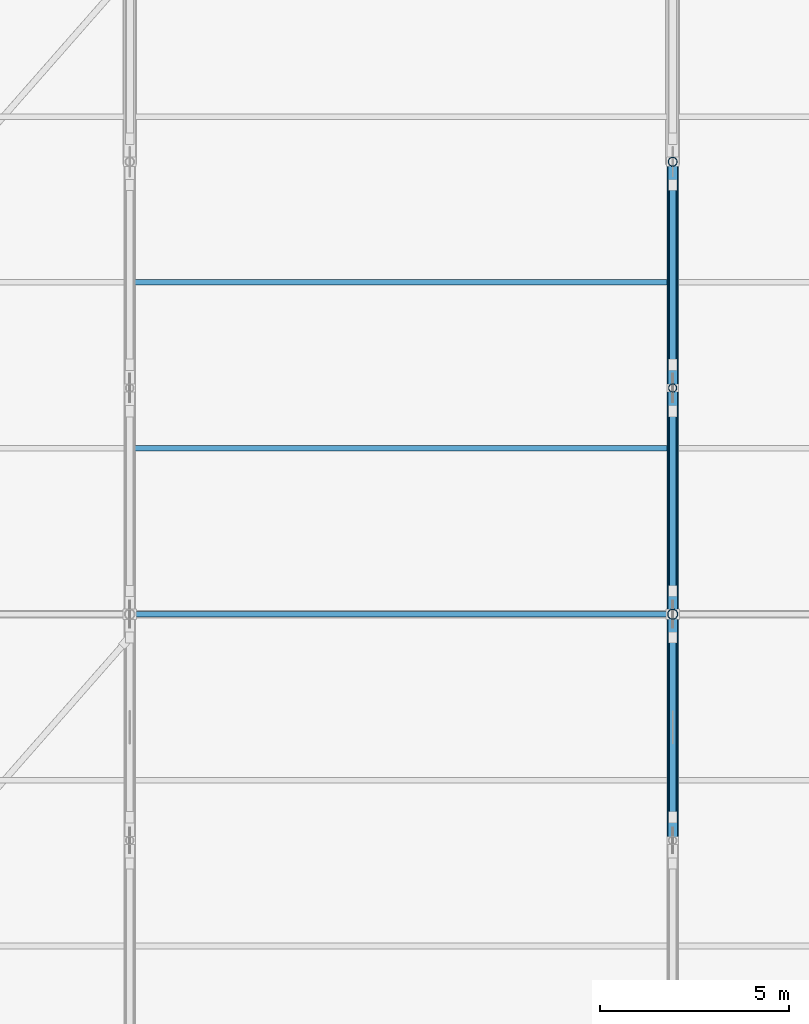
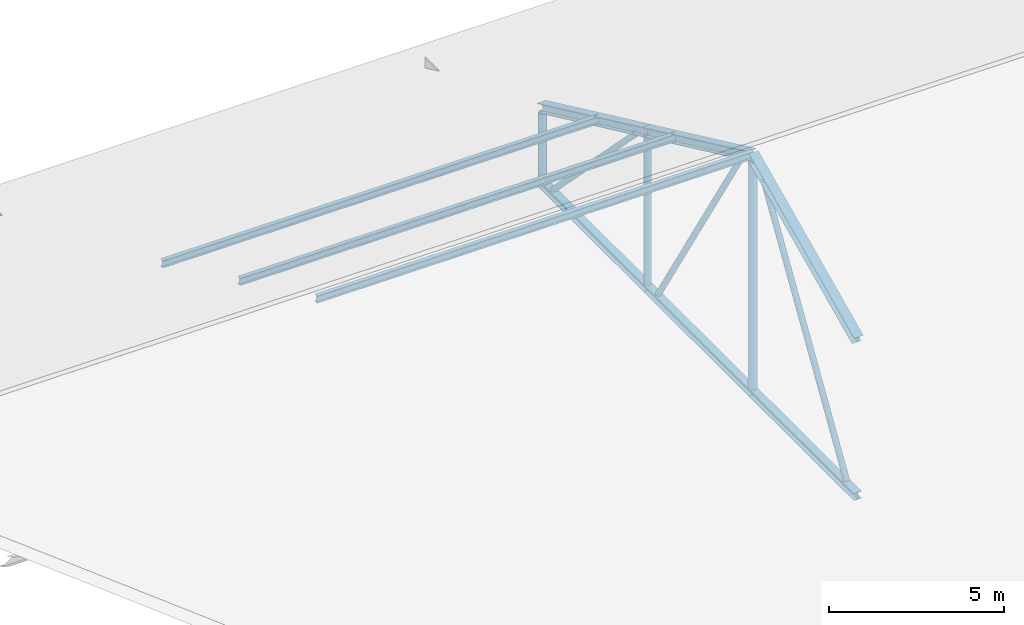
# One storey, part 80 of 141: 15 members, 1 element without a shape of its own.
"""IFC4 building model written with IfcOpenShell, lengths in metres."""

from ifc_helpers import new_model, si_unit, direction, frame, origin, origin_2d, place, context, subcontext, project, spatial, hollow_circle, i_section, extrude, material, material_profile, profile_set, type_object, element, aggregate, save


model = new_model("IFC4")

# Units and contexts
model_context = context("Model", 3, precision=1e-05, world=origin(), true_north=direction((0.0, 1.0)))
body_context = subcontext(model_context, "Body", "Model", "MODEL_VIEW")
ifc_project = project(units=[si_unit("LENGTHUNIT", "METRE"), si_unit("AREAUNIT", "SQUARE_METRE"), si_unit("VOLUMEUNIT", "CUBIC_METRE"), si_unit("PLANEANGLEUNIT", "RADIAN"), si_unit("MASSUNIT", "GRAM", prefix="KILO")], contexts=[model_context])

# Site, building, storey
site_placement = place(None, origin())
site = spatial("IfcSite", under=ifc_project, at=site_placement, CompositionType="ELEMENT")
building_placement = place(site_placement, origin())
building = spatial("IfcBuilding", under=site, at=building_placement, Name="Seraya Terrace Polytechnic", CompositionType="ELEMENT")
storey_placement = place(building_placement, frame((0.0, 0.0, 14.39990234375)))
storey = spatial("IfcBuildingStorey", under=building, at=storey_placement, Name="L03", CompositionType="ELEMENT", Elevation=14.39990234375)

# Assembly, members
ifc_material = material(Name="Steel S355J2", Category="steel")
element_assembly_type = type_object("IfcElementAssemblyType", Name="TR-A1", PredefinedType="TRUSS", material=ifc_material)
assembly_placement = place(storey_placement, origin())
assembly = element("IfcElementAssembly", 1, at=assembly_placement, inside=storey, type_object=element_assembly_type, Name="Pitched steel roof truss TR-03", AssemblyPlace="SITE", PredefinedType="TRUSS")
ifc_material_profile_1 = material_profile(ifc_material, i_section(OverallWidth=0.25390625, OverallDepth=0.25390625, WebThickness=0.0107421875, FlangeThickness=0.017333984375, at=origin_2d()), Name="UKC 254x254x10.7x17.3")
ifc_profile_set_1 = profile_set([ifc_material_profile_1], Name="Steel S355J2")
member_type_1 = type_object("IfcMemberType", Name="BC-02", PredefinedType="CHORD", material=ifc_profile_set_1)
member_1_placement = place(storey_placement, frame((43.199951171875, 91.199951171875, 0.150146484375), z_axis=(0.0, 1.0, 0.0), x_axis=(-1.0, 0.0, 0.0)))
member_1 = element("IfcMember", 2, at=member_1_placement, type_object=member_type_1, Name="TR-03 bottom chord 3", PredefinedType="CHORD", context=body_context, shape_type="SweptSolid", body=[
    extrude(i_section(OverallWidth=0.25390625, OverallDepth=0.25390625, WebThickness=0.0107421875, FlangeThickness=0.017333984375, at=origin_2d()), origin(), (0.0, 0.0, 1.0), 6.0),
])
member_2_placement = place(storey_placement, frame((43.199951171875, 97.199951171875, 0.150146484375), z_axis=(0.0, 1.0, 0.0), x_axis=(-1.0, 0.0, 0.0)))
member_2 = element("IfcMember", 3, at=member_2_placement, type_object=member_type_1, Name="TR-03 bottom chord 4", PredefinedType="CHORD", context=body_context, shape_type="SweptSolid", body=[
    extrude(i_section(OverallWidth=0.25390625, OverallDepth=0.25390625, WebThickness=0.0107421875, FlangeThickness=0.017333984375, at=origin_2d()), origin(), (0.0, 0.0, 1.0), 6.0),
])
member_3_placement = place(storey_placement, frame((43.199951171875, 103.199951171875, 0.150146484375), z_axis=(0.0, 1.0, 0.0), x_axis=(-1.0, 0.0, 0.0)))
member_3 = element("IfcMember", 4, at=member_3_placement, type_object=member_type_1, Name="TR-03 bottom chord 5", PredefinedType="CHORD", context=body_context, shape_type="SweptSolid", body=[
    extrude(i_section(OverallWidth=0.25390625, OverallDepth=0.25390625, WebThickness=0.0107421875, FlangeThickness=0.017333984375, at=origin_2d()), origin(), (0.0, 0.0, 1.0), 6.0),
])
ifc_material_profile_2 = material_profile(ifc_material, hollow_circle(Radius=0.096923828125, WallThickness=0.010009765625, at=origin_2d()), Name="CHS 193.7x10.0")
ifc_profile_set_2 = profile_set([ifc_material_profile_2], Name="Steel S355J2")
member_type_2 = type_object("IfcMemberType", Name="BR-02", PredefinedType="BRACE", material=ifc_profile_set_2)
member_4_placement = place(storey_placement, frame((43.199951171875, 91.820068359375, 0.291015625), z_axis=(0.0, 0.528137409747, 0.84915892295), x_axis=(-1.0, 0.0, 0.0)))
member_4 = element("IfcMember", 5, at=member_4_placement, type_object=member_type_2, Name="TR-03 web diagonal 3", PredefinedType="BRACE", context=body_context, shape_type="SweptSolid", body=[
    extrude(hollow_circle(Radius=0.096923828125, WallThickness=0.010009765625, at=origin_2d()), origin(), (0.0, 0.0, 1.0), 9.012939453125),
])
member_5_placement = place(storey_placement, frame((43.199951171875, 97.820068359375, 7.9443359375), z_axis=(0.0, 0.528137409747, -0.84915892295), x_axis=(-1.0, 0.0, 0.0)))
member_5 = element("IfcMember", 6, at=member_5_placement, type_object=member_type_2, Name="TR-03 web diagonal 4", PredefinedType="BRACE", context=body_context, shape_type="SweptSolid", body=[
    extrude(hollow_circle(Radius=0.096923828125, WallThickness=0.010009765625, at=origin_2d()), origin(), (0.0, 0.0, 1.0), 9.012939453125),
])
member_6_placement = place(storey_placement, frame((43.199951171875, 103.820068359375, 5.144287109375), z_axis=(0.0, 0.700213947338, -0.713933069659), x_axis=(-1.0, 0.0, 0.0)))
member_6 = element("IfcMember", 7, at=member_6_placement, type_object=member_type_2, Name="TR-03 web diagonal 5", PredefinedType="BRACE", context=body_context, shape_type="SweptSolid", body=[
    extrude(hollow_circle(Radius=0.096923828125, WallThickness=0.010009765625, at=origin_2d()), origin(), (0.0, 0.0, 1.0), 6.7978515625),
])

# Members
ifc_material_profile_3 = material_profile(ifc_material, i_section(OverallWidth=0.14599609375, OverallDepth=0.25390625, WebThickness=0.007080078125, FlangeThickness=0.01416015625, at=origin_2d()), Name="UKB 254x146x7.2x14.2")
ifc_profile_set_3 = profile_set([ifc_material_profile_3], Name="Steel S355J2")
member_type_3 = type_object("IfcMemberType", Name="PR-01", PredefinedType="PURLIN", material=ifc_profile_set_3)
for number, where, z_axis, x_axis, name in (
    (8, (28.800048828125, 97.199951171875, 8.43017578125), (1.0, 0.0, 0.0), (0.0, 1.0, 0.0), "Workshop roof purlin PR-01 bay 2.6"),
    (9, (28.800048828125, 101.60009765625, 6.376953125), (1.0, 0.0, 0.0), (0.0, 1.0, 0.0), "Workshop roof purlin PR-01 bay 2.7"),
    (10, (28.800048828125, 106.0, 4.323486328125), (1.0, 0.0, 0.0), (0.0, 1.0, 0.0), "Workshop roof purlin PR-01 bay 2.8"),
):
    element("IfcMember", number, at=place(storey_placement, frame(where, z_axis=z_axis, x_axis=x_axis)), inside=storey, type_object=member_type_3, Name=name, PredefinedType="PURLIN", context=body_context, shape_type="SweptSolid", body=[
        extrude(i_section(OverallWidth=0.14599609375, OverallDepth=0.25390625, WebThickness=0.007080078125, FlangeThickness=0.01416015625, at=origin_2d()), origin(), (0.0, 0.0, 1.0), 14.39990234375),
    ])

# Member
ifc_material_profile_4 = material_profile(ifc_material, hollow_circle(Radius=0.136474609375, WallThickness=0.012451171875, at=origin_2d()), Name="CHS 273.0x12.5")
ifc_profile_set_4 = profile_set([ifc_material_profile_4], Name="Steel S355J2")
member_type_4 = type_object("IfcMemberType", Name="ST-M1", PredefinedType="STRUT", material=ifc_profile_set_4)
member_7_placement = place(storey_placement, frame((43.199951171875, 97.199951171875, 0.281005859375), z_axis=(0.0, 0.0, 1.0), x_axis=(1.0, 0.0, 0.0)))
member_7 = element("IfcMember", 11, at=member_7_placement, type_object=member_type_4, Name="TR-03 vertical strut 4", PredefinedType="STRUT", context=body_context, shape_type="SweptSolid", body=[
    extrude(hollow_circle(Radius=0.136474609375, WallThickness=0.012451171875, at=origin_2d()), origin(), (0.0, 0.0, 1.0), 7.962646484375),
])

ifc_material_profile_5 = material_profile(ifc_material, hollow_circle(Radius=0.122314453125, WallThickness=0.012451171875, at=origin_2d()), Name="CHS 244.5x12.5")
ifc_profile_set_5 = profile_set([ifc_material_profile_5], Name="Steel S355J2")
member_type_5 = type_object("IfcMemberType", Name="ST-M2", PredefinedType="STRUT", material=ifc_profile_set_5)
member_8_placement = place(storey_placement, frame((43.199951171875, 109.199951171875, 0.306640625), z_axis=(0.0, 0.0, 1.0), x_axis=(1.0, 0.0, 0.0)))
member_8 = element("IfcMember", 12, at=member_8_placement, type_object=member_type_5, Name="TR-03 vertical strut 6", PredefinedType="STRUT", context=body_context, shape_type="SweptSolid", body=[
    extrude(hollow_circle(Radius=0.122314453125, WallThickness=0.012451171875, at=origin_2d()), origin(), (0.0, 0.0, 1.0), 2.3115234375),
])

ifc_material_profile_6 = material_profile(ifc_material, hollow_circle(Radius=0.109619140625, WallThickness=0.010009765625, at=origin_2d()), Name="CHS 219.1x10.0")
ifc_profile_set_6 = profile_set([ifc_material_profile_6], Name="Steel S355J2")
member_type_6 = type_object("IfcMemberType", Name="ST-M3", PredefinedType="STRUT", material=ifc_profile_set_6)
member_9_placement = place(storey_placement, frame((43.199951171875, 103.199951171875, 0.281005859375), z_axis=(0.0, 0.0, 1.0), x_axis=(1.0, 0.0, 0.0)))
member_9 = element("IfcMember", 13, at=member_9_placement, type_object=member_type_6, Name="TR-03 vertical strut 5", PredefinedType="STRUT", context=body_context, shape_type="SweptSolid", body=[
    extrude(hollow_circle(Radius=0.109619140625, WallThickness=0.010009765625, at=origin_2d()), origin(), (0.0, 0.0, 1.0), 5.16259765625),
])

ifc_material_profile_7 = material_profile(ifc_material, i_section(OverallWidth=0.304931640625, OverallDepth=0.304931640625, WebThickness=0.011962890625, FlangeThickness=0.019775390625, at=origin_2d()), Name="UKC 305x305x12.0x19.7")
ifc_profile_set_7 = profile_set([ifc_material_profile_7], Name="Steel S355J2")
member_type_7 = type_object("IfcMemberType", Name="TC-02", PredefinedType="CHORD", material=ifc_profile_set_7)
member_10_placement = place(storey_placement, frame((43.199951171875, 91.199951171875, 5.60009765625), z_axis=(0.0, 0.906180313975, 0.422891521036), x_axis=(-1.0, 0.0, 0.0)))
member_10 = element("IfcMember", 14, at=member_10_placement, type_object=member_type_7, Name="TR-03 top chord 3", PredefinedType="CHORD", context=body_context, shape_type="SweptSolid", body=[
    extrude(i_section(OverallWidth=0.304931640625, OverallDepth=0.304931640625, WebThickness=0.011962890625, FlangeThickness=0.019775390625, at=origin_2d()), origin(), (0.0, 0.0, 1.0), 6.62109375),
])

member_11_placement = place(storey_placement, frame((43.199951171875, 97.199951171875, 8.400146484375), z_axis=(0.0, 0.906180313975, -0.422891521036), x_axis=(-1.0, 0.0, 0.0)))
member_11 = element("IfcMember", 15, at=member_11_placement, type_object=member_type_7, Name="TR-03 top chord 4", PredefinedType="CHORD", context=body_context, shape_type="SweptSolid", body=[
    extrude(i_section(OverallWidth=0.304931640625, OverallDepth=0.304931640625, WebThickness=0.011962890625, FlangeThickness=0.019775390625, at=origin_2d()), origin(), (0.0, 0.0, 1.0), 6.62109375),
])

member_12_placement = place(storey_placement, frame((43.199951171875, 103.199951171875, 5.60009765625), z_axis=(0.0, 0.906180313975, -0.422891521036), x_axis=(-1.0, 0.0, 0.0)))
member_12 = element("IfcMember", 16, at=member_12_placement, type_object=member_type_7, Name="TR-03 top chord 5", PredefinedType="CHORD", context=body_context, shape_type="SweptSolid", body=[
    extrude(i_section(OverallWidth=0.304931640625, OverallDepth=0.304931640625, WebThickness=0.011962890625, FlangeThickness=0.019775390625, at=origin_2d()), origin(), (0.0, 0.0, 1.0), 6.62109375),
])

aggregate(assembly, [member_1, member_10, member_2, member_11, member_3, member_12, member_7, member_9, member_8, member_4, member_5, member_6])

save(model, "model.ifc")
